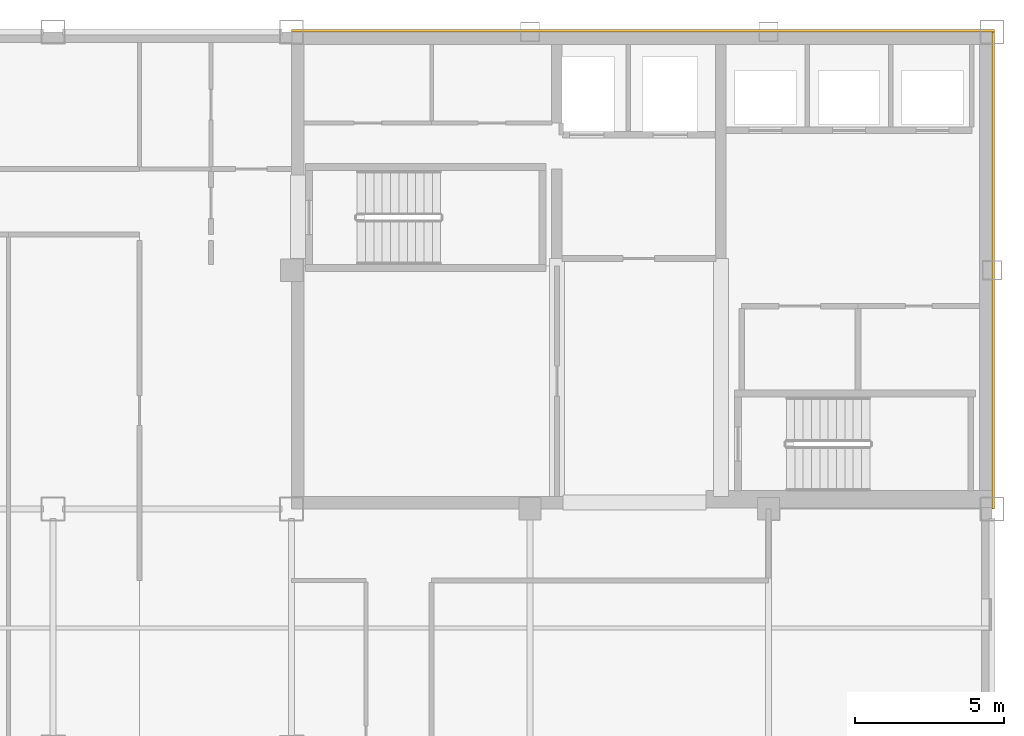
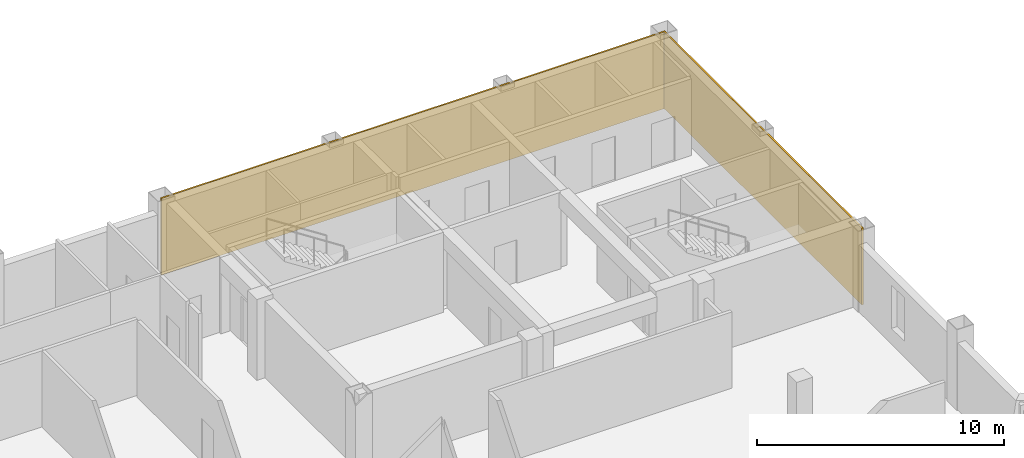
# One storey, part 7 of 7: 2 coverings.
"""IFC4 building model written with IfcOpenShell, lengths in metres."""

from ifc_helpers import new_model, si_unit, direction, frame, origin, origin_2d, place, context, subcontext, project, spatial, rectangle, extrude, material, layer, layer_set, type_object, element, save


model = new_model("IFC4")

# Units and contexts
model_context = context("Model", 3, precision=1e-05, world=origin(), true_north=direction((0.0, 1.0)))
body_context = subcontext(model_context, "Body", "Model", "MODEL_VIEW")
ifc_project = project(units=[si_unit("LENGTHUNIT", "METRE"), si_unit("AREAUNIT", "SQUARE_METRE"), si_unit("VOLUMEUNIT", "CUBIC_METRE"), si_unit("PLANEANGLEUNIT", "RADIAN"), si_unit("MASSUNIT", "GRAM", prefix="KILO")], contexts=[model_context])

# Site, building, storey
site_placement = place(None, origin())
site = spatial("IfcSite", under=ifc_project, at=site_placement, CompositionType="ELEMENT")
building_placement = place(site_placement, origin())
building = spatial("IfcBuilding", under=site, at=building_placement, Name="Qianrong Seaharbour Tower", CompositionType="ELEMENT")
storey_placement = place(building_placement, frame((0.0, 0.0, 315.199951171875)))
storey = spatial("IfcBuildingStorey", under=building, at=storey_placement, Name="L76", CompositionType="ELEMENT", Elevation=315.199951171875)

# Coverings
ifc_material = material(Name="Unitised red brick cladding on Precast concrete C45/55", Category="masonry")
ifc_layer = layer(ifc_material, 0.080078125)
ifc_layer_set = layer_set([ifc_layer], Name="Unitised red brick cladding on Precast concrete C45/55")
covering_type = type_object("IfcCoveringType", Name="COV-CLAD-RED-BRICK-80", PredefinedType="CLADDING", material=ifc_layer_set)
covering_1_placement = place(storey_placement, frame((52.2900390625, 52.0400390625, 0.0), z_axis=(0.0, 0.0, 1.0), x_axis=(1.0, 0.0, 0.0)))
element("IfcCovering", 1, at=covering_1_placement, inside=storey, type_object=covering_type, Name="L76 North Core Brick Veneer Cladding", PredefinedType="CLADDING", context=body_context, shape_type="SweptSolid", body=[
    extrude(rectangle(XDim=23.580078125, YDim=0.080078125, at=origin_2d()), origin(), (0.0, 0.0, 1.0), 3.784912109375),
])
covering_2_placement = place(storey_placement, frame((64.0400390625, 44.0, 0.0), z_axis=(0.0, 0.0, 1.0), x_axis=(1.0, 0.0, 0.0)))
element("IfcCovering", 2, at=covering_2_placement, inside=storey, type_object=covering_type, Name="L76 East Core Brick Veneer Cladding", PredefinedType="CLADDING", context=body_context, shape_type="SweptSolid", body=[
    extrude(rectangle(XDim=0.080078125, YDim=16.0, at=origin_2d()), origin(), (0.0, 0.0, 1.0), 3.784912109375),
])

save(model, "model.ifc")
